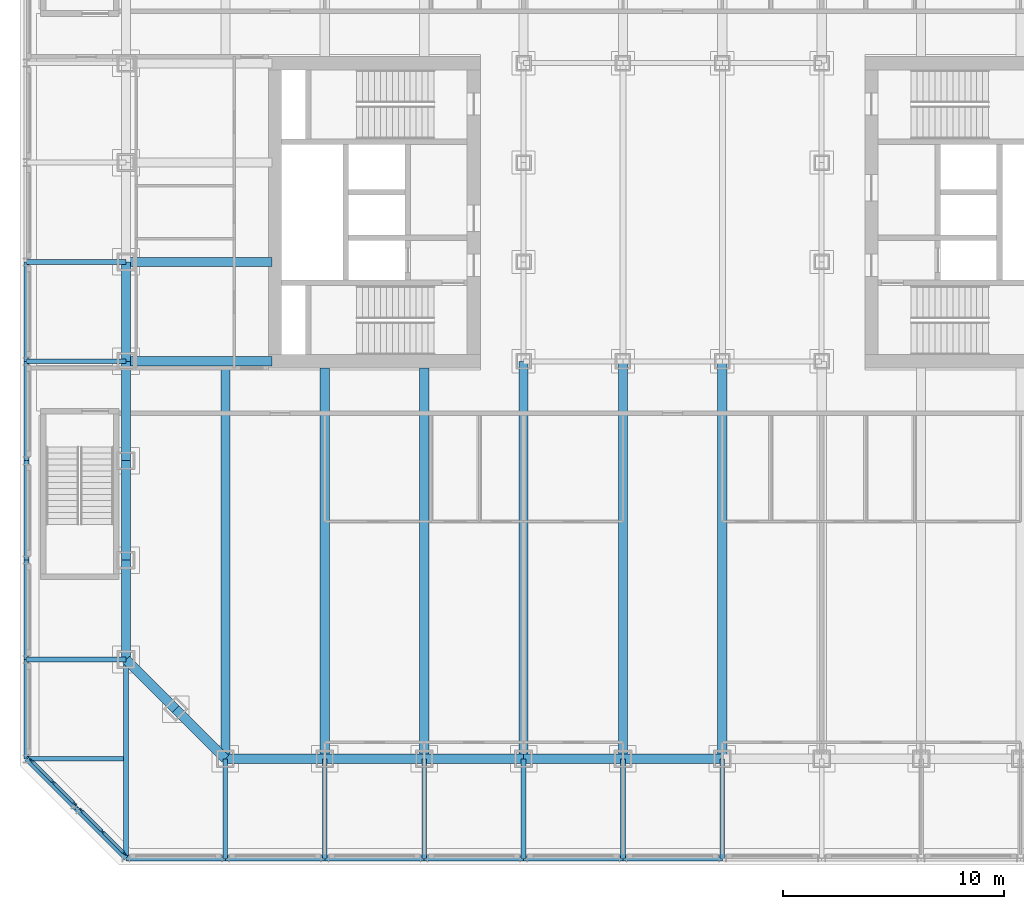
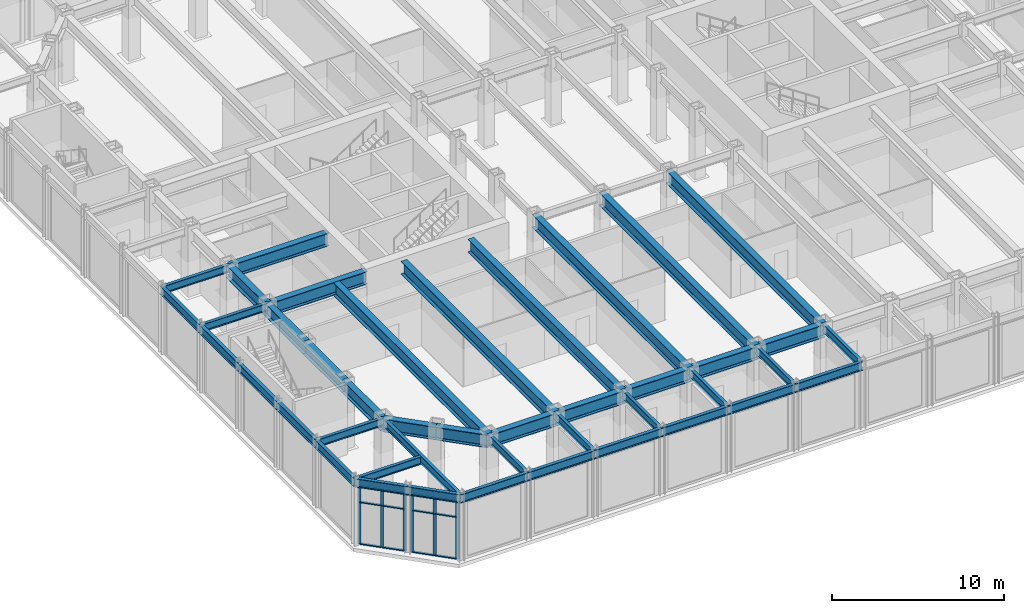
# One storey, part 4 of 19: 43 beams, 18 members, 2 elements without a shape of their own.
"""IFC4 building model written with IfcOpenShell, lengths in metres."""

import ifcopenshell
import ifcopenshell.guid

model = None  # the IFC model being written
_history = None  # IfcOwnerHistory: only IFC2X3 demands one
_inside = {}  # id of a spatial element -> (the spatial element, [elements in it])
_under = {}  # id of a project, library or spatial element -> (it, [spatial elements below it])
_declared = {}  # id of a project -> (the project, [libraries it declares])
_typed = {}  # id of a type object -> (the type object, [elements of that type])
_made_of = {}  # id of a material, layer set ... -> (it, [elements and type objects made of it])


def new_model(schema):
    """Start an empty IFC model of exactly this schema.

    Asked for "IFC4X3", IfcOpenShell would pick the latest addendum, in which some entities
    have other attributes; the version numbers below select the first issue.
    IFC2X3 requires an IfcOwnerHistory on every rooted entity: one is made here for all.
    """
    global model, _history
    if schema == "IFC4X3":
        model = ifcopenshell.file(schema_version=(4, 3, 0, 0))
    else:
        model = ifcopenshell.file(schema=schema)
    _inside.clear()
    _under.clear()
    _declared.clear()
    _typed.clear()
    _made_of.clear()
    _history = None
    if model.schema == "IFC2X3":
        org = make("IfcOrganization", Name="unknown")
        user = make(
            "IfcPersonAndOrganization",
            ThePerson=make("IfcPerson", FamilyName="unknown"),
            TheOrganization=org,
        )
        app = make(
            "IfcApplication",
            ApplicationDeveloper=org,
            Version="unknown",
            ApplicationFullName="unknown",
            ApplicationIdentifier="unknown",
        )
        _history = make(
            "IfcOwnerHistory",
            OwningUser=user,
            OwningApplication=app,
            ChangeAction="ADDED",
            CreationDate=0,
        )
    return model


def make(cls, **values):
    """One entity of the class cls with the attributes given. An attribute that is None is left unset."""
    return model.create_entity(
        cls, **{name: value for name, value in values.items() if value is not None}
    )


def rooted(cls, **values):
    """An entity with a GlobalId (a new one), such as an element, a storey or a relation."""
    return make(cls, GlobalId=ifcopenshell.guid.new(), OwnerHistory=_history, **values)


def si_unit(unit_type, name, prefix=None):
    """IfcSIUnit, for example si_unit("LENGTHUNIT", "METRE", prefix="MILLI")."""
    return make("IfcSIUnit", UnitType=unit_type, Prefix=prefix, Name=name)


def assignment(units):
    """IfcUnitAssignment: the units of a project."""
    return None if units is None else make("IfcUnitAssignment", Units=units)


def point(xyz):
    """IfcCartesianPoint."""
    return None if xyz is None else make("IfcCartesianPoint", Coordinates=xyz)


def direction(xyz):
    """IfcDirection."""
    return None if xyz is None else make("IfcDirection", DirectionRatios=xyz)


def frame(location, z_axis=None, x_axis=None):
    """IfcAxis2Placement3D, a coordinate frame: its origin and axes. An axis left out is left unset."""
    return make(
        "IfcAxis2Placement3D",
        Location=point(location),
        Axis=direction(z_axis),
        RefDirection=direction(x_axis),
    )


def frame_2d(location, x_axis=None):
    """IfcAxis2Placement2D, a coordinate frame in the plane: its origin and x axis."""
    return make(
        "IfcAxis2Placement2D", Location=point(location), RefDirection=direction(x_axis)
    )


def origin():
    """The frame at (0, 0, 0) with its axes left unset."""
    return frame((0.0, 0.0, 0.0))


def origin_2d():
    """The frame at (0, 0) in the plane with its x axis left unset."""
    return frame_2d((0.0, 0.0))


def place(relative_to, where):
    """IfcLocalPlacement: puts the frame where relative to a parent placement (None: the world)."""
    return make(
        "IfcLocalPlacement", PlacementRelTo=relative_to, RelativePlacement=where
    )


def context(
    kind, dimensions, precision=None, world=None, true_north=None, identifier=None
):
    """IfcGeometricRepresentationContext, for example the 3D "Model" context."""
    return make(
        "IfcGeometricRepresentationContext",
        ContextIdentifier=identifier,
        ContextType=kind,
        CoordinateSpaceDimension=dimensions,
        Precision=precision,
        WorldCoordinateSystem=world,
        TrueNorth=true_north,
    )


def subcontext(parent, identifier, kind, view, scale=None):
    """IfcGeometricRepresentationSubContext, for example "Body" below "Model"."""
    return make(
        "IfcGeometricRepresentationSubContext",
        ContextIdentifier=identifier,
        ContextType=kind,
        ParentContext=parent,
        TargetScale=scale,
        TargetView=view,
    )


def project(units=None, contexts=None):
    """IfcProject with its units and contexts."""
    return rooted(
        "IfcProject",
        Name="project",
        RepresentationContexts=contexts,
        UnitsInContext=assignment(units),
    )


def spatial(cls, under=None, at=None, **own):
    """A site, building, storey or space (cls), placed at a placement, below another one or the project."""
    s = rooted(cls, ObjectPlacement=at, **own)
    if under is not None:
        _under.setdefault(under.id(), (under, []))[1].append(s)
    return s


def profile(cls, at=None, kind="AREA", **sizes):
    """A parametric profile (cls). Its sizes go by their IFC names, for example OverallWidth=200.0."""
    return make(cls, ProfileType=kind, Position=at, **sizes)


def rectangle(**sizes):
    """IfcRectangleProfileDef."""
    return profile("IfcRectangleProfileDef", **sizes)


def i_section(**sizes):
    """IfcIShapeProfileDef."""
    return profile("IfcIShapeProfileDef", **sizes)


def extrude(swept, where, along, depth):
    """IfcExtrudedAreaSolid: the profile swept, set in the frame where, extruded along a direction by depth."""
    return make(
        "IfcExtrudedAreaSolid",
        SweptArea=swept,
        Position=where,
        ExtrudedDirection=direction(along),
        Depth=depth,
    )


def shape(context_of_items, identifier, shape_type, items):
    """IfcShapeRepresentation: the items that make up one representation, for example the "Body"."""
    return make(
        "IfcShapeRepresentation",
        ContextOfItems=context_of_items,
        RepresentationIdentifier=identifier,
        RepresentationType=shape_type,
        Items=items,
    )


def material(Name=None, Category=None):
    """IfcMaterial."""
    return make("IfcMaterial", Name=Name, Category=Category)


def material_profile(
    of_material, cross_section, Name=None, Category=None, Priority=None
):
    """IfcMaterialProfile: a cross section and its material."""
    return make(
        "IfcMaterialProfile",
        Name=Name,
        Material=of_material,
        Profile=cross_section,
        Priority=Priority,
        Category=Category,
    )


def profile_set(profiles, Name=None, composite=None):
    """IfcMaterialProfileSet."""
    return make(
        "IfcMaterialProfileSet",
        Name=Name,
        MaterialProfiles=profiles,
        CompositeProfile=composite,
    )


def made_of(thing, what):
    """Note that an element or type object is made of a material, layer set ...; save() writes the relation."""
    if what is not None:
        _made_of.setdefault(what.id(), (what, []))[1].append(thing)
    return thing


def type_object(cls, material=None, **own):
    """A type object (cls), such as IfcWallType, which elements share."""
    return made_of(rooted(cls, **own), material)


def element(
    cls,
    number,
    at=None,
    inside=None,
    cuts=None,
    type_object=None,
    material=None,
    context=None,
    identifier="Body",
    shape_type=None,
    held_by="IfcProductDefinitionShape",
    body=None,
    shapes=None,
    **own,
):
    """One element of the class cls, such as IfcWall. Its Tag is "e" and its number.

    at: its placement. inside: the storey or other place that contains it. cuts: it is an
    opening in that element (IfcRelVoidsElement). A single representation is given by context,
    identifier, shape_type and body (its items); several are given by shapes. held_by: the class
    of the entity that holds the representations. save() writes the other relations.
    """
    e = rooted(cls, Tag="e%d" % number, ObjectPlacement=at, **own)
    if body is not None:
        shapes = [shape(context, identifier, shape_type, body)]
    if shapes is not None:
        e.Representation = make(held_by, Representations=shapes)
    if inside is not None:
        _inside.setdefault(inside.id(), (inside, []))[1].append(e)
    if cuts is not None:
        rooted(
            "IfcRelVoidsElement", RelatingBuildingElement=cuts, RelatedOpeningElement=e
        )
    if type_object is not None:
        _typed.setdefault(type_object.id(), (type_object, []))[1].append(e)
    return made_of(e, material)


def aggregate(whole, parts):
    """IfcRelAggregates: a whole, such as a stair, and the parts it consists of."""
    return rooted("IfcRelAggregates", RelatingObject=whole, RelatedObjects=parts)


def save(model, path):
    """Write the relations noted so far, then the file.

    IfcRelAggregates (storeys below a building ...), IfcRelContainedInSpatialStructure (elements
    in a storey), IfcRelDefinesByType, IfcRelAssociatesMaterial and IfcRelDeclares: one each for
    every whole, place, type object, material and project.
    """
    for whole, parts in _under.values():
        aggregate(whole, parts)
    for where, things in _inside.values():
        rooted(
            "IfcRelContainedInSpatialStructure",
            RelatedElements=things,
            RelatingStructure=where,
        )
    for kind, things in _typed.values():
        rooted("IfcRelDefinesByType", RelatedObjects=things, RelatingType=kind)
    for what, things in _made_of.values():
        rooted("IfcRelAssociatesMaterial", RelatedObjects=things, RelatingMaterial=what)
    for by, libraries in _declared.values():
        rooted("IfcRelDeclares", RelatingContext=by, RelatedDefinitions=libraries)
    model.write(path)


model = new_model("IFC4")

# Units and contexts
model_context = context("Model", 3, precision=1e-05, world=origin(), true_north=direction((0.0, 1.0)))
body_context = subcontext(model_context, "Body", "Model", "MODEL_VIEW")
ifc_project = project(units=[si_unit("LENGTHUNIT", "METRE"), si_unit("AREAUNIT", "SQUARE_METRE"), si_unit("VOLUMEUNIT", "CUBIC_METRE"), si_unit("PLANEANGLEUNIT", "RADIAN"), si_unit("MASSUNIT", "GRAM", prefix="KILO")], contexts=[model_context])

# Site, building, storey
site_placement = place(None, origin())
site = spatial("IfcSite", under=ifc_project, at=site_placement, CompositionType="ELEMENT")
building_placement = place(site_placement, origin())
building = spatial("IfcBuilding", under=site, at=building_placement, Name="Msasa Ring Tower", CompositionType="ELEMENT")
storey_placement = place(building_placement, frame((0.0, 0.0, 6.0)))
storey = spatial("IfcBuildingStorey", under=building, at=storey_placement, Name="L01", CompositionType="ELEMENT", Elevation=6.0)

# Curtain wall, members
ifc_material_1 = material(Name="Aluminium curtain wall with clear glass", Category="aluminium")
curtain_wall_type = type_object("IfcCurtainWallType", Name="CW-K PODIUM CORNER CURTAIN WALL", PredefinedType="NOTDEFINED", material=ifc_material_1)
curtain_wall_1_placement = place(storey_placement, origin())
curtain_wall_1 = element("IfcCurtainWall", 1, at=curtain_wall_1_placement, inside=storey, type_object=curtain_wall_type, Name="Podium corner curtain wall SW L01", PredefinedType="NOTDEFINED")
ifc_material_2 = material(Name="Aluminium mullion", Category="aluminium")
ifc_material_profile_1 = material_profile(ifc_material_2, rectangle(XDim=0.070068359375, YDim=0.199951171875, at=origin_2d()), Name="AL 70x200")
ifc_profile_set_1 = profile_set([ifc_material_profile_1], Name="Aluminium mullion")
member_type_1 = type_object("IfcMemberType", Name="CW-K MULLION 70x200", PredefinedType="MULLION", material=ifc_profile_set_1)
member_1_placement = place(storey_placement, frame((-29.02197265625, -24.836669921875, 0.0), z_axis=(0.0, 0.0, 1.0), x_axis=(0.707106781187, 0.707106781187, 0.0)))
member_1 = element("IfcMember", 2, at=member_1_placement, type_object=member_type_1, Name="CW-K mullion 1", PredefinedType="MULLION", context=body_context, shape_type="SweptSolid", body=[
    extrude(rectangle(XDim=0.070068359375, YDim=0.199951171875, at=origin_2d()), origin(), (0.0, 0.0, 1.0), 4.1328125),
])
member_2_placement = place(storey_placement, frame((-28.05419921875, -25.80419921875, 0.0), z_axis=(0.0, 0.0, 1.0), x_axis=(0.707106781187, 0.707106781187, 0.0)))
member_2 = element("IfcMember", 3, at=member_2_placement, type_object=member_type_1, Name="CW-K mullion 2", PredefinedType="MULLION", context=body_context, shape_type="SweptSolid", body=[
    extrude(rectangle(XDim=0.070068359375, YDim=0.199951171875, at=origin_2d()), origin(), (0.0, 0.0, 1.0), 4.1328125),
])
member_3_placement = place(storey_placement, frame((-27.086669921875, -26.77197265625, 0.0), z_axis=(0.0, 0.0, 1.0), x_axis=(0.707106781187, 0.707106781187, 0.0)))
member_3 = element("IfcMember", 4, at=member_3_placement, type_object=member_type_1, Name="CW-K mullion 3", PredefinedType="MULLION", context=body_context, shape_type="SweptSolid", body=[
    extrude(rectangle(XDim=0.070068359375, YDim=0.199951171875, at=origin_2d()), origin(), (0.0, 0.0, 1.0), 4.1328125),
])

curtain_wall_2_placement = place(storey_placement, origin())
curtain_wall_2 = element("IfcCurtainWall", 5, at=curtain_wall_2_placement, inside=storey, type_object=curtain_wall_type, Name="Podium corner curtain wall SW L01", PredefinedType="NOTDEFINED")
member_4_placement = place(storey_placement, frame((-26.77197265625, -27.086669921875, 0.0), z_axis=(0.0, 0.0, 1.0), x_axis=(0.707106781187, 0.707106781187, 0.0)))
member_4 = element("IfcMember", 6, at=member_4_placement, type_object=member_type_1, Name="CW-K mullion 1", PredefinedType="MULLION", context=body_context, shape_type="SweptSolid", body=[
    extrude(rectangle(XDim=0.070068359375, YDim=0.199951171875, at=origin_2d()), origin(), (0.0, 0.0, 1.0), 4.1328125),
])
member_5_placement = place(storey_placement, frame((-25.80419921875, -28.05419921875, 0.0), z_axis=(0.0, 0.0, 1.0), x_axis=(0.707106781187, 0.707106781187, 0.0)))
member_5 = element("IfcMember", 7, at=member_5_placement, type_object=member_type_1, Name="CW-K mullion 2", PredefinedType="MULLION", context=body_context, shape_type="SweptSolid", body=[
    extrude(rectangle(XDim=0.070068359375, YDim=0.199951171875, at=origin_2d()), origin(), (0.0, 0.0, 1.0), 4.1328125),
])
member_6_placement = place(storey_placement, frame((-24.836669921875, -29.02197265625, 0.0), z_axis=(0.0, 0.0, 1.0), x_axis=(0.707106781187, 0.707106781187, 0.0)))
member_6 = element("IfcMember", 8, at=member_6_placement, type_object=member_type_1, Name="CW-K mullion 3", PredefinedType="MULLION", context=body_context, shape_type="SweptSolid", body=[
    extrude(rectangle(XDim=0.070068359375, YDim=0.199951171875, at=origin_2d()), origin(), (0.0, 0.0, 1.0), 4.1328125),
])

# Member
ifc_material_3 = material(Name="Aluminium transom", Category="aluminium")
ifc_material_profile_2 = material_profile(ifc_material_3, rectangle(XDim=0.14990234375, YDim=0.070068359375, at=origin_2d()), Name="AL 70x150")
ifc_profile_set_2 = profile_set([ifc_material_profile_2], Name="Aluminium transom")
member_type_2 = type_object("IfcMemberType", Name="CW-K TRANSOM 70x150", PredefinedType="USERDEFINED", material=ifc_profile_set_2)
member_7_placement = place(storey_placement, frame((-28.9970703125, -24.861572265625, 0.034912109375), z_axis=(0.707106781187, -0.707106781187, 0.0), x_axis=(0.707106781187, 0.707106781187, 0.0)))
member_7 = element("IfcMember", 9, at=member_7_placement, type_object=member_type_2, Name="CW-K transom 1.1", ObjectType="TRANSOM", PredefinedType="USERDEFINED", context=body_context, shape_type="SweptSolid", body=[
    extrude(rectangle(XDim=0.14990234375, YDim=0.070068359375, at=origin_2d()), origin(), (0.0, 0.0, 1.0), 1.298095703125),
])

member_8_placement = place(storey_placement, frame((-28.9970703125, -24.861572265625, 3.0), z_axis=(0.707106781187, -0.707106781187, 0.0), x_axis=(0.707106781187, 0.707106781187, 0.0)))
member_8 = element("IfcMember", 10, at=member_8_placement, type_object=member_type_2, Name="CW-K transom 1.2", ObjectType="TRANSOM", PredefinedType="USERDEFINED", context=body_context, shape_type="SweptSolid", body=[
    extrude(rectangle(XDim=0.14990234375, YDim=0.070068359375, at=origin_2d()), origin(), (0.0, 0.0, 1.0), 1.298095703125),
])

member_9_placement = place(storey_placement, frame((-28.9970703125, -24.861572265625, 4.097900390625), z_axis=(0.707106781187, -0.707106781187, 0.0), x_axis=(0.707106781187, 0.707106781187, 0.0)))
member_9 = element("IfcMember", 11, at=member_9_placement, type_object=member_type_2, Name="CW-K transom 1.3", ObjectType="TRANSOM", PredefinedType="USERDEFINED", context=body_context, shape_type="SweptSolid", body=[
    extrude(rectangle(XDim=0.14990234375, YDim=0.070068359375, at=origin_2d()), origin(), (0.0, 0.0, 1.0), 1.298095703125),
])

member_10_placement = place(storey_placement, frame((-28.029541015625, -25.8291015625, 0.034912109375), z_axis=(0.707106781187, -0.707106781187, 0.0), x_axis=(0.707106781187, 0.707106781187, 0.0)))
member_10 = element("IfcMember", 12, at=member_10_placement, type_object=member_type_2, Name="CW-K transom 2.1", ObjectType="TRANSOM", PredefinedType="USERDEFINED", context=body_context, shape_type="SweptSolid", body=[
    extrude(rectangle(XDim=0.14990234375, YDim=0.070068359375, at=origin_2d()), origin(), (0.0, 0.0, 1.0), 1.298095703125),
])

member_11_placement = place(storey_placement, frame((-28.029541015625, -25.8291015625, 3.0), z_axis=(0.707106781187, -0.707106781187, 0.0), x_axis=(0.707106781187, 0.707106781187, 0.0)))
member_11 = element("IfcMember", 13, at=member_11_placement, type_object=member_type_2, Name="CW-K transom 2.2", ObjectType="TRANSOM", PredefinedType="USERDEFINED", context=body_context, shape_type="SweptSolid", body=[
    extrude(rectangle(XDim=0.14990234375, YDim=0.070068359375, at=origin_2d()), origin(), (0.0, 0.0, 1.0), 1.298095703125),
])

member_12_placement = place(storey_placement, frame((-28.029541015625, -25.8291015625, 4.097900390625), z_axis=(0.707106781187, -0.707106781187, 0.0), x_axis=(0.707106781187, 0.707106781187, 0.0)))
member_12 = element("IfcMember", 14, at=member_12_placement, type_object=member_type_2, Name="CW-K transom 2.3", ObjectType="TRANSOM", PredefinedType="USERDEFINED", context=body_context, shape_type="SweptSolid", body=[
    extrude(rectangle(XDim=0.14990234375, YDim=0.070068359375, at=origin_2d()), origin(), (0.0, 0.0, 1.0), 1.298095703125),
])

aggregate(curtain_wall_1, [member_1, member_2, member_3, member_7, member_8, member_9, member_10, member_11, member_12])

member_13_placement = place(storey_placement, frame((-26.7470703125, -27.111572265625, 0.034912109375), z_axis=(0.707106781187, -0.707106781187, 0.0), x_axis=(0.707106781187, 0.707106781187, 0.0)))
member_13 = element("IfcMember", 15, at=member_13_placement, type_object=member_type_2, Name="CW-K transom 1.1", ObjectType="TRANSOM", PredefinedType="USERDEFINED", context=body_context, shape_type="SweptSolid", body=[
    extrude(rectangle(XDim=0.14990234375, YDim=0.070068359375, at=origin_2d()), origin(), (0.0, 0.0, 1.0), 1.298095703125),
])

member_14_placement = place(storey_placement, frame((-26.7470703125, -27.111572265625, 3.0), z_axis=(0.707106781187, -0.707106781187, 0.0), x_axis=(0.707106781187, 0.707106781187, 0.0)))
member_14 = element("IfcMember", 16, at=member_14_placement, type_object=member_type_2, Name="CW-K transom 1.2", ObjectType="TRANSOM", PredefinedType="USERDEFINED", context=body_context, shape_type="SweptSolid", body=[
    extrude(rectangle(XDim=0.14990234375, YDim=0.070068359375, at=origin_2d()), origin(), (0.0, 0.0, 1.0), 1.298095703125),
])

member_15_placement = place(storey_placement, frame((-26.7470703125, -27.111572265625, 4.097900390625), z_axis=(0.707106781187, -0.707106781187, 0.0), x_axis=(0.707106781187, 0.707106781187, 0.0)))
member_15 = element("IfcMember", 17, at=member_15_placement, type_object=member_type_2, Name="CW-K transom 1.3", ObjectType="TRANSOM", PredefinedType="USERDEFINED", context=body_context, shape_type="SweptSolid", body=[
    extrude(rectangle(XDim=0.14990234375, YDim=0.070068359375, at=origin_2d()), origin(), (0.0, 0.0, 1.0), 1.298095703125),
])

member_16_placement = place(storey_placement, frame((-25.779541015625, -28.0791015625, 0.034912109375), z_axis=(0.707106781187, -0.707106781187, 0.0), x_axis=(0.707106781187, 0.707106781187, 0.0)))
member_16 = element("IfcMember", 18, at=member_16_placement, type_object=member_type_2, Name="CW-K transom 2.1", ObjectType="TRANSOM", PredefinedType="USERDEFINED", context=body_context, shape_type="SweptSolid", body=[
    extrude(rectangle(XDim=0.14990234375, YDim=0.070068359375, at=origin_2d()), origin(), (0.0, 0.0, 1.0), 1.298095703125),
])

member_17_placement = place(storey_placement, frame((-25.779541015625, -28.0791015625, 3.0), z_axis=(0.707106781187, -0.707106781187, 0.0), x_axis=(0.707106781187, 0.707106781187, 0.0)))
member_17 = element("IfcMember", 19, at=member_17_placement, type_object=member_type_2, Name="CW-K transom 2.2", ObjectType="TRANSOM", PredefinedType="USERDEFINED", context=body_context, shape_type="SweptSolid", body=[
    extrude(rectangle(XDim=0.14990234375, YDim=0.070068359375, at=origin_2d()), origin(), (0.0, 0.0, 1.0), 1.298095703125),
])

member_18_placement = place(storey_placement, frame((-25.779541015625, -28.0791015625, 4.097900390625), z_axis=(0.707106781187, -0.707106781187, 0.0), x_axis=(0.707106781187, 0.707106781187, 0.0)))
member_18 = element("IfcMember", 20, at=member_18_placement, type_object=member_type_2, Name="CW-K transom 2.3", ObjectType="TRANSOM", PredefinedType="USERDEFINED", context=body_context, shape_type="SweptSolid", body=[
    extrude(rectangle(XDim=0.14990234375, YDim=0.070068359375, at=origin_2d()), origin(), (0.0, 0.0, 1.0), 1.298095703125),
])

aggregate(curtain_wall_2, [member_4, member_5, member_6, member_13, member_14, member_15, member_16, member_17, member_18])

# Beams
ifc_material_4 = material(Name="Steel S355", Category="steel")
ifc_material_profile_3 = material_profile(ifc_material_4, i_section(OverallWidth=0.41845703125, OverallDepth=0.911865234375, WebThickness=0.019287109375, FlangeThickness=0.031982421875, FilletRadius=0.024169921875, at=origin_2d()), Name="UB 914x419x343")
ifc_profile_set_3 = profile_set([ifc_material_profile_3], Name="Steel S355")
beam_type_1 = type_object("IfcBeamType", Name="FB1 UB 914x419x343", PredefinedType="BEAM", material=ifc_profile_set_3)
beam_1_placement = place(storey_placement, frame((-20.25, -24.75, 4.294189453125), z_axis=(0.0, 1.0, 0.0), x_axis=(-1.0, 0.0, 0.0)))
element("IfcBeam", 21, at=beam_1_placement, inside=storey, type_object=beam_type_1, Name="Floor beam S-20.25 under L02", PredefinedType="BEAM", context=body_context, shape_type="SweptSolid", body=[
    extrude(i_section(OverallWidth=0.41845703125, OverallDepth=0.911865234375, WebThickness=0.019287109375, FlangeThickness=0.031982421875, FilletRadius=0.024169921875, at=origin_2d()), origin(), (0.0, 0.0, 1.0), 17.789794921875),
])
for number, where, z_axis, x_axis, name in (
    (22, (-15.75, -24.75, 4.294189453125), (0.0, 1.0, 0.0), (-1.0, 0.0, 0.0), "Floor beam S-15.75 under L02"),
    (23, (-11.25, -24.75, 4.294189453125), (0.0, 1.0, 0.0), (-1.0, 0.0, 0.0), "Floor beam S-11.25 under L02"),
):
    element("IfcBeam", number, at=place(storey_placement, frame(where, z_axis=z_axis, x_axis=x_axis)), inside=storey, type_object=beam_type_1, Name=name, PredefinedType="BEAM", context=body_context, shape_type="SweptSolid", body=[
        extrude(i_section(OverallWidth=0.41845703125, OverallDepth=0.911865234375, WebThickness=0.019287109375, FlangeThickness=0.031982421875, FilletRadius=0.024169921875, at=origin_2d()), origin(), (0.0, 0.0, 1.0), 17.699951171875),
    ])
for number, where, z_axis, x_axis, name in (
    (24, (-6.75, -24.75, 4.294189453125), (0.0, 1.0, 0.0), (-1.0, 0.0, 0.0), "Floor beam S-6.75 under L02"),
    (25, (-2.25, -24.75, 4.294189453125), (0.0, 1.0, 0.0), (-1.0, 0.0, 0.0), "Floor beam S-2.25 under L02"),
    (26, (2.25, -24.75, 4.294189453125), (0.0, 1.0, 0.0), (-1.0, 0.0, 0.0), "Floor beam S+2.25 under L02"),
):
    element("IfcBeam", number, at=place(storey_placement, frame(where, z_axis=z_axis, x_axis=x_axis)), inside=storey, type_object=beam_type_1, Name=name, PredefinedType="BEAM", context=body_context, shape_type="SweptSolid", body=[
        extrude(i_section(OverallWidth=0.41845703125, OverallDepth=0.911865234375, WebThickness=0.019287109375, FlangeThickness=0.031982421875, FilletRadius=0.024169921875, at=origin_2d()), origin(), (0.0, 0.0, 1.0), 18.0),
    ])
ifc_material_5 = material(Name="Steel S355", Category="steel")
ifc_material_profile_4 = material_profile(ifc_material_5, i_section(OverallWidth=0.42041015625, OverallDepth=0.9208984375, WebThickness=0.021484375, FlangeThickness=0.03662109375, FilletRadius=0.024169921875, at=origin_2d()), Name="UB 914x419x388")
ifc_profile_set_4 = profile_set([ifc_material_profile_4], Name="Steel S355")
beam_type_2 = type_object("IfcBeamType", Name="FB2 UB 914x419x388", PredefinedType="BEAM", material=ifc_profile_set_4)
beam_2_placement = place(storey_placement, frame((-24.75, -2.25, 4.28955078125), z_axis=(1.0, 0.0, 0.0), x_axis=(0.0, 1.0, 0.0)))
element("IfcBeam", 27, at=beam_2_placement, inside=storey, type_object=beam_type_2, Name="Floor beam W -2.25 under L02", PredefinedType="BEAM", context=body_context, shape_type="SweptSolid", body=[
    extrude(i_section(OverallWidth=0.42041015625, OverallDepth=0.9208984375, WebThickness=0.021484375, FlangeThickness=0.03662109375, FilletRadius=0.024169921875, at=origin_2d()), origin(), (0.0, 0.0, 1.0), 6.60009765625),
])
ifc_material_6 = material(Name="Steel S355", Category="steel")
ifc_material_profile_5 = material_profile(ifc_material_6, i_section(OverallWidth=0.42041015625, OverallDepth=0.9208984375, WebThickness=0.021484375, FlangeThickness=0.03662109375, FilletRadius=0.024169921875, at=origin_2d()), Name="UB 914x419x388")
ifc_profile_set_5 = profile_set([ifc_material_profile_5], Name="Steel S355")
beam_type_3 = type_object("IfcBeamType", Name="GB1 UB 914x419x388", PredefinedType="BEAM", material=ifc_profile_set_5)
beam_3_placement = place(storey_placement, frame((-18.14990234375, -6.75, 4.28955078125), z_axis=(-1.0, 0.0, 0.0), x_axis=(0.0, -1.0, 0.0)))
element("IfcBeam", 28, at=beam_3_placement, inside=storey, type_object=beam_type_3, Name="Girder W -6.75 under L02", PredefinedType="BEAM", context=body_context, shape_type="SweptSolid", body=[
    extrude(i_section(OverallWidth=0.42041015625, OverallDepth=0.9208984375, WebThickness=0.021484375, FlangeThickness=0.03662109375, FilletRadius=0.024169921875, at=origin_2d()), origin(), (0.0, 0.0, 1.0), 6.60009765625),
])
ifc_material_7 = material(Name="Steel S355", Category="steel")
ifc_material_profile_6 = material_profile(ifc_material_7, i_section(OverallWidth=0.2119140625, OverallDepth=0.54443359375, WebThickness=0.0126953125, FlangeThickness=0.021240234375, FilletRadius=0.0126953125, at=origin_2d()), Name="UB 533x210x122")
ifc_profile_set_6 = profile_set([ifc_material_profile_6], Name="Steel S355")
beam_type_4 = type_object("IfcBeamType", Name="PB1 UB 533x210x122", PredefinedType="BEAM", material=ifc_profile_set_6)
beam_4_placement = place(storey_placement, frame((-24.75, -29.25, 4.477783203125), z_axis=(0.0, 1.0, 0.0), x_axis=(-1.0, 0.0, 0.0)))
element("IfcBeam", 29, at=beam_4_placement, inside=storey, type_object=beam_type_4, Name="Podium beam S-24.75 under L02", PredefinedType="BEAM", context=body_context, shape_type="SweptSolid", body=[
    extrude(i_section(OverallWidth=0.2119140625, OverallDepth=0.54443359375, WebThickness=0.0126953125, FlangeThickness=0.021240234375, FilletRadius=0.0126953125, at=origin_2d()), origin(), (0.0, 0.0, 1.0), 9.0),
])
beam_5_placement = place(storey_placement, frame((-29.25, -24.75, 4.477783203125), z_axis=(1.0, 0.0, 0.0), x_axis=(0.0, 1.0, 0.0)))
element("IfcBeam", 30, at=beam_5_placement, inside=storey, type_object=beam_type_4, Name="Podium beam W-24.75 under L02", PredefinedType="BEAM", context=body_context, shape_type="SweptSolid", body=[
    extrude(i_section(OverallWidth=0.2119140625, OverallDepth=0.54443359375, WebThickness=0.0126953125, FlangeThickness=0.021240234375, FilletRadius=0.0126953125, at=origin_2d()), origin(), (0.0, 0.0, 1.0), 4.39404296875),
])
for number, where, z_axis, x_axis, name in (
    (31, (-20.25, -29.25, 4.477783203125), (0.0, 1.0, 0.0), (-1.0, 0.0, 0.0), "Podium beam S-20.25 under L02"),
    (32, (-29.25, -20.25, 4.477783203125), (1.0, 0.0, 0.0), (0.0, 1.0, 0.0), "Podium beam W-20.25 under L02"),
    (33, (-15.75, -29.25, 4.477783203125), (0.0, 1.0, 0.0), (-1.0, 0.0, 0.0), "Podium beam S-15.75 under L02"),
    (34, (-11.25, -29.25, 4.477783203125), (0.0, 1.0, 0.0), (-1.0, 0.0, 0.0), "Podium beam S-11.25 under L02"),
    (35, (-6.75, -29.25, 4.477783203125), (0.0, 1.0, 0.0), (-1.0, 0.0, 0.0), "Podium beam S-6.75 under L02"),
    (36, (-29.25, -6.75, 4.477783203125), (1.0, 0.0, 0.0), (0.0, 1.0, 0.0), "Podium beam W-6.75 under L02"),
    (37, (-2.25, -29.25, 4.477783203125), (0.0, 1.0, 0.0), (-1.0, 0.0, 0.0), "Podium beam S-2.25 under L02"),
    (38, (-29.25, -2.25, 4.477783203125), (1.0, 0.0, 0.0), (0.0, 1.0, 0.0), "Podium beam W-2.25 under L02"),
    (39, (2.25, -29.25, 4.477783203125), (0.0, 1.0, 0.0), (-1.0, 0.0, 0.0), "Podium beam S+2.25 under L02"),
):
    element("IfcBeam", number, at=place(storey_placement, frame(where, z_axis=z_axis, x_axis=x_axis)), inside=storey, type_object=beam_type_4, Name=name, PredefinedType="BEAM", context=body_context, shape_type="SweptSolid", body=[
        extrude(i_section(OverallWidth=0.2119140625, OverallDepth=0.54443359375, WebThickness=0.0126953125, FlangeThickness=0.021240234375, FilletRadius=0.0126953125, at=origin_2d()), origin(), (0.0, 0.0, 1.0), 4.5),
    ])
ifc_material_8 = material(Name="Steel S355", Category="steel")
ifc_material_profile_7 = material_profile(ifc_material_8, i_section(OverallWidth=0.42041015625, OverallDepth=0.9208984375, WebThickness=0.021484375, FlangeThickness=0.03662109375, FilletRadius=0.024169921875, at=origin_2d()), Name="UB 914x419x388")
ifc_profile_set_7 = profile_set([ifc_material_profile_7], Name="Steel S355")
beam_type_5 = type_object("IfcBeamType", Name="SB1 UB 914x419x388", PredefinedType="SPANDREL", material=ifc_profile_set_7)
for number, where, z_axis, x_axis, name in (
    (40, (-24.75, -2.25, 4.28955078125), (0.0, -1.0, 0.0), (1.0, 0.0, 0.0), "Spandrel W-2.25 to W-6.75 under L02"),
    (41, (-24.75, -6.75, 4.28955078125), (0.0, -1.0, 0.0), (1.0, 0.0, 0.0), "Spandrel W-6.75 to W-11.25 under L02"),
    (42, (-24.75, -11.25, 4.28955078125), (0.0, -1.0, 0.0), (1.0, 0.0, 0.0), "Spandrel W-11.25 to W-15.75 under L02"),
    (43, (-24.75, -15.75, 4.28955078125), (0.0, -1.0, 0.0), (1.0, 0.0, 0.0), "Spandrel W-15.75 to W-20.25 under L02"),
):
    element("IfcBeam", number, at=place(storey_placement, frame(where, z_axis=z_axis, x_axis=x_axis)), inside=storey, type_object=beam_type_5, Name=name, PredefinedType="SPANDREL", context=body_context, shape_type="SweptSolid", body=[
        extrude(i_section(OverallWidth=0.42041015625, OverallDepth=0.9208984375, WebThickness=0.021484375, FlangeThickness=0.03662109375, FilletRadius=0.024169921875, at=origin_2d()), origin(), (0.0, 0.0, 1.0), 4.5),
    ])
for number, where, z_axis, x_axis, name in (
    (44, (-24.75, -20.25, 4.28955078125), (0.707106781187, -0.707106781187, 0.0), (0.707106781187, 0.707106781187, 0.0), "Spandrel W-20.25 to SW under L02"),
    (45, (-22.5, -22.5, 4.28955078125), (0.707106781187, -0.707106781187, 0.0), (0.707106781187, 0.707106781187, 0.0), "Spandrel SW to S-20.25 under L02"),
):
    element("IfcBeam", number, at=place(storey_placement, frame(where, z_axis=z_axis, x_axis=x_axis)), inside=storey, type_object=beam_type_5, Name=name, PredefinedType="SPANDREL", context=body_context, shape_type="SweptSolid", body=[
        extrude(i_section(OverallWidth=0.42041015625, OverallDepth=0.9208984375, WebThickness=0.021484375, FlangeThickness=0.03662109375, FilletRadius=0.024169921875, at=origin_2d()), origin(), (0.0, 0.0, 1.0), 3.181884765625),
    ])
for number, where, z_axis, x_axis, name in (
    (46, (-20.25, -24.75, 4.28955078125), (1.0, 0.0, 0.0), (0.0, 1.0, 0.0), "Spandrel S-20.25 to S-15.75 under L02"),
    (47, (-15.75, -24.75, 4.28955078125), (1.0, 0.0, 0.0), (0.0, 1.0, 0.0), "Spandrel S-15.75 to S-11.25 under L02"),
    (48, (-11.25, -24.75, 4.28955078125), (1.0, 0.0, 0.0), (0.0, 1.0, 0.0), "Spandrel S-11.25 to S-6.75 under L02"),
    (49, (-6.75, -24.75, 4.28955078125), (1.0, 0.0, 0.0), (0.0, 1.0, 0.0), "Spandrel S-6.75 to S-2.25 under L02"),
    (50, (-2.25, -24.75, 4.28955078125), (1.0, 0.0, 0.0), (0.0, 1.0, 0.0), "Spandrel S-2.25 to S+2.25 under L02"),
):
    element("IfcBeam", number, at=place(storey_placement, frame(where, z_axis=z_axis, x_axis=x_axis)), inside=storey, type_object=beam_type_5, Name=name, PredefinedType="SPANDREL", context=body_context, shape_type="SweptSolid", body=[
        extrude(i_section(OverallWidth=0.42041015625, OverallDepth=0.9208984375, WebThickness=0.021484375, FlangeThickness=0.03662109375, FilletRadius=0.024169921875, at=origin_2d()), origin(), (0.0, 0.0, 1.0), 4.5),
    ])
ifc_material_9 = material(Name="Steel S355", Category="steel")
ifc_material_profile_8 = material_profile(ifc_material_9, i_section(OverallWidth=0.230224609375, OverallDepth=0.6171875, WebThickness=0.01318359375, FlangeThickness=0.022216796875, FilletRadius=0.0126953125, at=origin_2d()), Name="UB 610x229x140")
ifc_profile_set_8 = profile_set([ifc_material_profile_8], Name="Steel S355")
beam_type_6 = type_object("IfcBeamType", Name="SB2 UB 610x229x140", PredefinedType="SPANDREL", material=ifc_profile_set_8)
for number, where, z_axis, x_axis, name in (
    (51, (-29.25, -2.25, 4.44140625), (0.0, -1.0, 0.0), (1.0, 0.0, 0.0), "Podium spandrel W-2.25 under L02"),
    (52, (-29.25, -6.75, 4.44140625), (0.0, -1.0, 0.0), (1.0, 0.0, 0.0), "Podium spandrel W-6.75 under L02"),
    (53, (-29.25, -11.25, 4.44140625), (0.0, -1.0, 0.0), (1.0, 0.0, 0.0), "Podium spandrel W-11.25 under L02"),
    (54, (-29.25, -15.75, 4.44140625), (0.0, -1.0, 0.0), (1.0, 0.0, 0.0), "Podium spandrel W-15.75 under L02"),
    (55, (-29.25, -20.25, 4.44140625), (0.0, -1.0, 0.0), (1.0, 0.0, 0.0), "Podium spandrel W-20.25 under L02"),
):
    element("IfcBeam", number, at=place(storey_placement, frame(where, z_axis=z_axis, x_axis=x_axis)), inside=storey, type_object=beam_type_6, Name=name, PredefinedType="SPANDREL", context=body_context, shape_type="SweptSolid", body=[
        extrude(i_section(OverallWidth=0.230224609375, OverallDepth=0.6171875, WebThickness=0.01318359375, FlangeThickness=0.022216796875, FilletRadius=0.0126953125, at=origin_2d()), origin(), (0.0, 0.0, 1.0), 4.5),
    ])
for number, where, z_axis, x_axis, name in (
    (56, (-29.25, -24.75, 4.44140625), (0.707106781187, -0.707106781187, 0.0), (0.707106781187, 0.707106781187, 0.0), "Podium spandrel W-24.75 under L02"),
    (57, (-27.0, -27.0, 4.44140625), (0.707106781187, -0.707106781187, 0.0), (0.707106781187, 0.707106781187, 0.0), "Podium spandrel SW under L02"),
):
    element("IfcBeam", number, at=place(storey_placement, frame(where, z_axis=z_axis, x_axis=x_axis)), inside=storey, type_object=beam_type_6, Name=name, PredefinedType="SPANDREL", context=body_context, shape_type="SweptSolid", body=[
        extrude(i_section(OverallWidth=0.230224609375, OverallDepth=0.6171875, WebThickness=0.01318359375, FlangeThickness=0.022216796875, FilletRadius=0.0126953125, at=origin_2d()), origin(), (0.0, 0.0, 1.0), 3.181884765625),
    ])
for number, where, z_axis, x_axis, name in (
    (58, (-24.75, -29.25, 4.44140625), (1.0, 0.0, 0.0), (0.0, 1.0, 0.0), "Podium spandrel S-24.75 under L02"),
    (59, (-20.25, -29.25, 4.44140625), (1.0, 0.0, 0.0), (0.0, 1.0, 0.0), "Podium spandrel S-20.25 under L02"),
    (60, (-15.75, -29.25, 4.44140625), (1.0, 0.0, 0.0), (0.0, 1.0, 0.0), "Podium spandrel S-15.75 under L02"),
    (61, (-11.25, -29.25, 4.44140625), (1.0, 0.0, 0.0), (0.0, 1.0, 0.0), "Podium spandrel S-11.25 under L02"),
    (62, (-6.75, -29.25, 4.44140625), (1.0, 0.0, 0.0), (0.0, 1.0, 0.0), "Podium spandrel S-6.75 under L02"),
    (63, (-2.25, -29.25, 4.44140625), (1.0, 0.0, 0.0), (0.0, 1.0, 0.0), "Podium spandrel S-2.25 under L02"),
):
    element("IfcBeam", number, at=place(storey_placement, frame(where, z_axis=z_axis, x_axis=x_axis)), inside=storey, type_object=beam_type_6, Name=name, PredefinedType="SPANDREL", context=body_context, shape_type="SweptSolid", body=[
        extrude(i_section(OverallWidth=0.230224609375, OverallDepth=0.6171875, WebThickness=0.01318359375, FlangeThickness=0.022216796875, FilletRadius=0.0126953125, at=origin_2d()), origin(), (0.0, 0.0, 1.0), 4.5),
    ])

save(model, "model.ifc")
